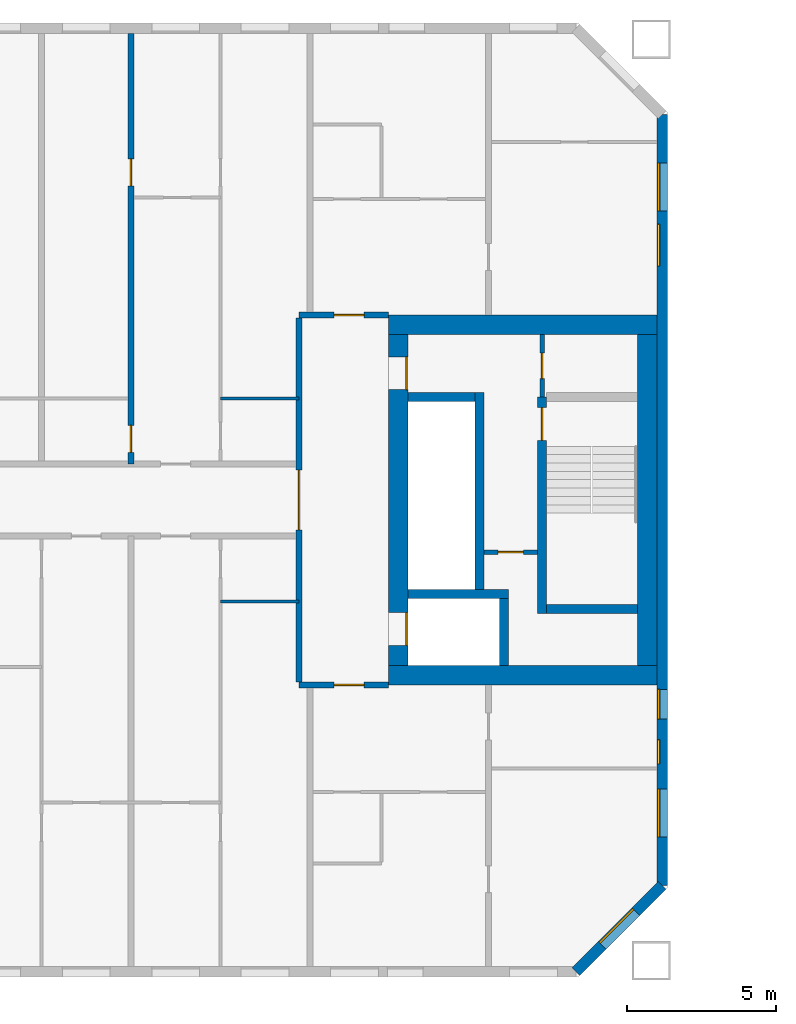
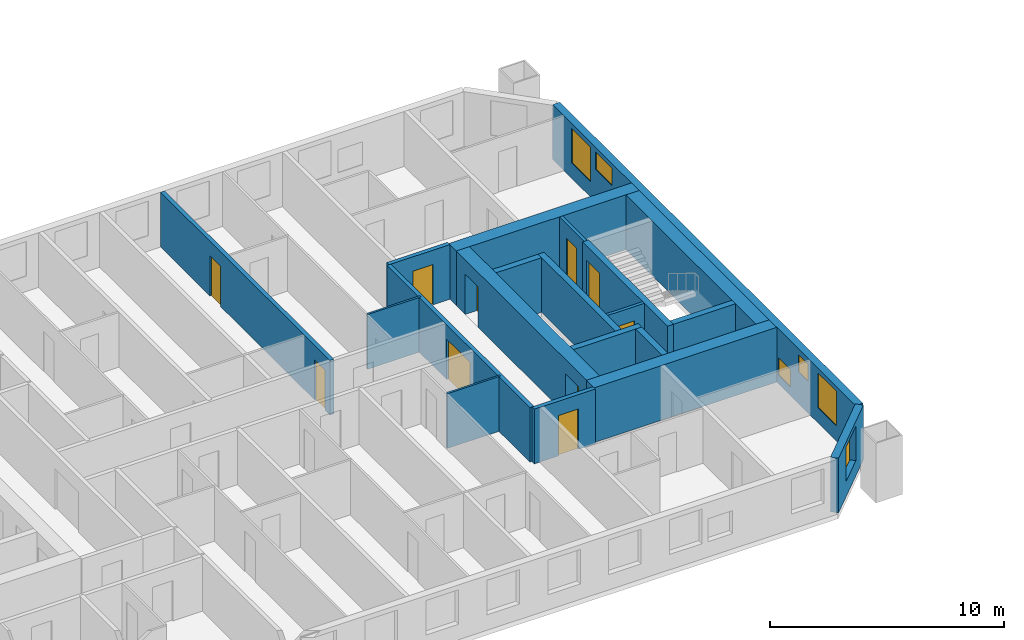
# One storey, part 7 of 17: 20 walls, 10 doors, 6 windows, 16 openings.
"""IFC4 building model written with IfcOpenShell, lengths in metres."""

import ifcopenshell
import ifcopenshell.guid

model = None  # the IFC model being written
_history = None  # IfcOwnerHistory: only IFC2X3 demands one
_inside = {}  # id of a spatial element -> (the spatial element, [elements in it])
_under = {}  # id of a project, library or spatial element -> (it, [spatial elements below it])
_declared = {}  # id of a project -> (the project, [libraries it declares])
_typed = {}  # id of a type object -> (the type object, [elements of that type])
_made_of = {}  # id of a material, layer set ... -> (it, [elements and type objects made of it])


def new_model(schema):
    """Start an empty IFC model of exactly this schema.

    Asked for "IFC4X3", IfcOpenShell would pick the latest addendum, in which some entities
    have other attributes; the version numbers below select the first issue.
    IFC2X3 requires an IfcOwnerHistory on every rooted entity: one is made here for all.
    """
    global model, _history
    if schema == "IFC4X3":
        model = ifcopenshell.file(schema_version=(4, 3, 0, 0))
    else:
        model = ifcopenshell.file(schema=schema)
    _inside.clear()
    _under.clear()
    _declared.clear()
    _typed.clear()
    _made_of.clear()
    _history = None
    if model.schema == "IFC2X3":
        org = make("IfcOrganization", Name="unknown")
        user = make(
            "IfcPersonAndOrganization",
            ThePerson=make("IfcPerson", FamilyName="unknown"),
            TheOrganization=org,
        )
        app = make(
            "IfcApplication",
            ApplicationDeveloper=org,
            Version="unknown",
            ApplicationFullName="unknown",
            ApplicationIdentifier="unknown",
        )
        _history = make(
            "IfcOwnerHistory",
            OwningUser=user,
            OwningApplication=app,
            ChangeAction="ADDED",
            CreationDate=0,
        )
    return model


def make(cls, **values):
    """One entity of the class cls with the attributes given. An attribute that is None is left unset."""
    return model.create_entity(
        cls, **{name: value for name, value in values.items() if value is not None}
    )


def rooted(cls, **values):
    """An entity with a GlobalId (a new one), such as an element, a storey or a relation."""
    return make(cls, GlobalId=ifcopenshell.guid.new(), OwnerHistory=_history, **values)


def si_unit(unit_type, name, prefix=None):
    """IfcSIUnit, for example si_unit("LENGTHUNIT", "METRE", prefix="MILLI")."""
    return make("IfcSIUnit", UnitType=unit_type, Prefix=prefix, Name=name)


def assignment(units):
    """IfcUnitAssignment: the units of a project."""
    return None if units is None else make("IfcUnitAssignment", Units=units)


def point(xyz):
    """IfcCartesianPoint."""
    return None if xyz is None else make("IfcCartesianPoint", Coordinates=xyz)


def direction(xyz):
    """IfcDirection."""
    return None if xyz is None else make("IfcDirection", DirectionRatios=xyz)


def frame(location, z_axis=None, x_axis=None):
    """IfcAxis2Placement3D, a coordinate frame: its origin and axes. An axis left out is left unset."""
    return make(
        "IfcAxis2Placement3D",
        Location=point(location),
        Axis=direction(z_axis),
        RefDirection=direction(x_axis),
    )


def frame_2d(location, x_axis=None):
    """IfcAxis2Placement2D, a coordinate frame in the plane: its origin and x axis."""
    return make(
        "IfcAxis2Placement2D", Location=point(location), RefDirection=direction(x_axis)
    )


def origin():
    """The frame at (0, 0, 0) with its axes left unset."""
    return frame((0.0, 0.0, 0.0))


def place(relative_to, where):
    """IfcLocalPlacement: puts the frame where relative to a parent placement (None: the world)."""
    return make(
        "IfcLocalPlacement", PlacementRelTo=relative_to, RelativePlacement=where
    )


def context(
    kind, dimensions, precision=None, world=None, true_north=None, identifier=None
):
    """IfcGeometricRepresentationContext, for example the 3D "Model" context."""
    return make(
        "IfcGeometricRepresentationContext",
        ContextIdentifier=identifier,
        ContextType=kind,
        CoordinateSpaceDimension=dimensions,
        Precision=precision,
        WorldCoordinateSystem=world,
        TrueNorth=true_north,
    )


def subcontext(parent, identifier, kind, view, scale=None):
    """IfcGeometricRepresentationSubContext, for example "Body" below "Model"."""
    return make(
        "IfcGeometricRepresentationSubContext",
        ContextIdentifier=identifier,
        ContextType=kind,
        ParentContext=parent,
        TargetScale=scale,
        TargetView=view,
    )


def project(units=None, contexts=None):
    """IfcProject with its units and contexts."""
    return rooted(
        "IfcProject",
        Name="project",
        RepresentationContexts=contexts,
        UnitsInContext=assignment(units),
    )


def spatial(cls, under=None, at=None, **own):
    """A site, building, storey or space (cls), placed at a placement, below another one or the project."""
    s = rooted(cls, ObjectPlacement=at, **own)
    if under is not None:
        _under.setdefault(under.id(), (under, []))[1].append(s)
    return s


def profile(cls, at=None, kind="AREA", **sizes):
    """A parametric profile (cls). Its sizes go by their IFC names, for example OverallWidth=200.0."""
    return make(cls, ProfileType=kind, Position=at, **sizes)


def rectangle(**sizes):
    """IfcRectangleProfileDef."""
    return profile("IfcRectangleProfileDef", **sizes)


def extrude(swept, where, along, depth):
    """IfcExtrudedAreaSolid: the profile swept, set in the frame where, extruded along a direction by depth."""
    return make(
        "IfcExtrudedAreaSolid",
        SweptArea=swept,
        Position=where,
        ExtrudedDirection=direction(along),
        Depth=depth,
    )


def shape(context_of_items, identifier, shape_type, items):
    """IfcShapeRepresentation: the items that make up one representation, for example the "Body"."""
    return make(
        "IfcShapeRepresentation",
        ContextOfItems=context_of_items,
        RepresentationIdentifier=identifier,
        RepresentationType=shape_type,
        Items=items,
    )


def material(Name=None, Category=None):
    """IfcMaterial."""
    return make("IfcMaterial", Name=Name, Category=Category)


def layer(
    of_material, thickness, ventilated=None, Name=None, Category=None, Priority=None
):
    """IfcMaterialLayer: one layer of a wall or slab, of a material (None: an air gap)."""
    return make(
        "IfcMaterialLayer",
        Material=of_material,
        LayerThickness=thickness,
        IsVentilated=ventilated,
        Name=Name,
        Category=Category,
        Priority=Priority,
    )


def layer_set(layers, Name=None):
    """IfcMaterialLayerSet."""
    return make("IfcMaterialLayerSet", MaterialLayers=layers, LayerSetName=Name)


def made_of(thing, what):
    """Note that an element or type object is made of a material, layer set ...; save() writes the relation."""
    if what is not None:
        _made_of.setdefault(what.id(), (what, []))[1].append(thing)
    return thing


def type_object(cls, material=None, **own):
    """A type object (cls), such as IfcWallType, which elements share."""
    return made_of(rooted(cls, **own), material)


def element(
    cls,
    number,
    at=None,
    inside=None,
    cuts=None,
    type_object=None,
    material=None,
    context=None,
    identifier="Body",
    shape_type=None,
    held_by="IfcProductDefinitionShape",
    body=None,
    shapes=None,
    **own,
):
    """One element of the class cls, such as IfcWall. Its Tag is "e" and its number.

    at: its placement. inside: the storey or other place that contains it. cuts: it is an
    opening in that element (IfcRelVoidsElement). A single representation is given by context,
    identifier, shape_type and body (its items); several are given by shapes. held_by: the class
    of the entity that holds the representations. save() writes the other relations.
    """
    e = rooted(cls, Tag="e%d" % number, ObjectPlacement=at, **own)
    if body is not None:
        shapes = [shape(context, identifier, shape_type, body)]
    if shapes is not None:
        e.Representation = make(held_by, Representations=shapes)
    if inside is not None:
        _inside.setdefault(inside.id(), (inside, []))[1].append(e)
    if cuts is not None:
        rooted(
            "IfcRelVoidsElement", RelatingBuildingElement=cuts, RelatedOpeningElement=e
        )
    if type_object is not None:
        _typed.setdefault(type_object.id(), (type_object, []))[1].append(e)
    return made_of(e, material)


def fill(opening, filler):
    """IfcRelFillsElement: the door or window that sits in an opening."""
    return rooted(
        "IfcRelFillsElement",
        RelatingOpeningElement=opening,
        RelatedBuildingElement=filler,
    )


def aggregate(whole, parts):
    """IfcRelAggregates: a whole, such as a stair, and the parts it consists of."""
    return rooted("IfcRelAggregates", RelatingObject=whole, RelatedObjects=parts)


def save(model, path):
    """Write the relations noted so far, then the file.

    IfcRelAggregates (storeys below a building ...), IfcRelContainedInSpatialStructure (elements
    in a storey), IfcRelDefinesByType, IfcRelAssociatesMaterial and IfcRelDeclares: one each for
    every whole, place, type object, material and project.
    """
    for whole, parts in _under.values():
        aggregate(whole, parts)
    for where, things in _inside.values():
        rooted(
            "IfcRelContainedInSpatialStructure",
            RelatedElements=things,
            RelatingStructure=where,
        )
    for kind, things in _typed.values():
        rooted("IfcRelDefinesByType", RelatedObjects=things, RelatingType=kind)
    for what, things in _made_of.values():
        rooted("IfcRelAssociatesMaterial", RelatedObjects=things, RelatingMaterial=what)
    for by, libraries in _declared.values():
        rooted("IfcRelDeclares", RelatingContext=by, RelatedDefinitions=libraries)
    model.write(path)


model = new_model("IFC4")

# Units and contexts
model_context = context("Model", 3, precision=1e-05, world=origin(), true_north=direction((0.0, 1.0)))
body_context = subcontext(model_context, "Body", "Model", "MODEL_VIEW")
ifc_project = project(units=[si_unit("LENGTHUNIT", "METRE"), si_unit("AREAUNIT", "SQUARE_METRE"), si_unit("VOLUMEUNIT", "CUBIC_METRE"), si_unit("PLANEANGLEUNIT", "RADIAN"), si_unit("MASSUNIT", "GRAM", prefix="KILO")], contexts=[model_context])

# Site, building, storey
site_placement = place(None, origin())
site = spatial("IfcSite", under=ifc_project, at=site_placement, CompositionType="ELEMENT")
building_placement = place(site_placement, origin())
building = spatial("IfcBuilding", under=site, at=building_placement, Name="Tuart Gate Housing", CompositionType="ELEMENT")
storey_placement = place(building_placement, frame((0.0, 0.0, 99.5)))
storey = spatial("IfcBuildingStorey", under=building, at=storey_placement, Name="L27", CompositionType="ELEMENT", Elevation=99.5)

# Wall, opening, window
ifc_material_1 = material(Name="Brick", Category="masonry")
ifc_layer_1 = layer(ifc_material_1, 0.360107421875)
ifc_layer_set_1 = layer_set([ifc_layer_1], Name="Brick pier and spandrel wall 360")
wall_type_1 = type_object("IfcWallType", Name="Brick pier and spandrel wall 360", PredefinedType="STANDARD", material=ifc_layer_set_1)
wall_1_placement = place(storey_placement, frame((72.92529296875, 54.179931640625, 0.0), z_axis=(0.0, 0.0, 1.0), x_axis=(0.707106781187, 0.707106781187, 0.0)))
wall_1 = element("IfcWall", 1, at=wall_1_placement, inside=storey, type_object=wall_type_1, Name="External wall A-SE L27", PredefinedType="STANDARD", context=body_context, shape_type="SweptSolid", body=[
    extrude(rectangle(XDim=4.09375, YDim=0.360107421875, at=frame_2d((2.046875, 0.0))), origin(), (0.0, 0.0, 1.0), 2.85009765625),
])
opening_1_placement = place(wall_1_placement, frame((1.2470703125, 0.0, 0.800048828125)))
opening_1 = element("IfcOpeningElement", 2, at=opening_1_placement, cuts=wall_1, Name="Opening W1", PredefinedType="OPENING", context=body_context, shape_type="SweptSolid", body=[
    extrude(rectangle(XDim=1.60009765625, YDim=1.800048828125, at=frame_2d((0.800048828125, 0.89990234375))), frame((0.0, 0.18994140625, 0.0), z_axis=(0.0, -1.0, 0.0), x_axis=(1.0, 0.0, 0.0)), (0.0, 0.0, 1.0), 0.380126953125),
])
ifc_material_2 = material(Name="Aluminium frame with clear glass", Category="aluminium")
window_type_1 = type_object("IfcWindowType", Name="Punched window 1600 x 1800", PartitioningType="SINGLE_PANEL", PredefinedType="WINDOW", material=ifc_material_2)
window_1_placement = place(opening_1_placement, origin())
window_1 = element("IfcWindow", 3, at=window_1_placement, inside=storey, type_object=window_type_1, Name="Window W1", OverallHeight=1.800048828125, OverallWidth=1.60009765625, PartitioningType="SINGLE_PANEL", PredefinedType="WINDOW", context=body_context, shape_type="SweptSolid", body=[
    extrude(rectangle(XDim=1.60009765625, YDim=1.800048828125, at=frame_2d((0.800048828125, 0.89990234375))), frame((0.0, 0.150146484375, 0.0), z_axis=(0.0, -1.0, 0.0), x_axis=(1.0, 0.0, 0.0)), (0.0, 0.0, 1.0), 0.06005859375),
])
fill(opening_1, window_1)

# Wall, openings, windows
wall_2_placement = place(storey_placement, frame((75.820068359375, 57.07470703125, 0.0), z_axis=(0.0, 0.0, 1.0), x_axis=(0.0, 1.0, 0.0)))
wall_2 = element("IfcWall", 4, at=wall_2_placement, inside=storey, type_object=wall_type_1, Name="External wall A-E L27", PredefinedType="STANDARD", context=body_context, shape_type="SweptSolid", body=[
    extrude(rectangle(XDim=25.850830078125, YDim=0.360107421875, at=frame_2d((12.92529296875, 0.0))), origin(), (0.0, 0.0, 1.0), 2.85009765625),
])
opening_2_placement = place(wall_2_placement, frame((1.62548828125, 0.0, 0.800048828125)))
opening_2 = element("IfcOpeningElement", 5, at=opening_2_placement, cuts=wall_2, Name="Opening W1", PredefinedType="OPENING", context=body_context, shape_type="SweptSolid", body=[
    extrude(rectangle(XDim=1.60009765625, YDim=1.800048828125, at=frame_2d((0.800048828125, 0.89990234375))), frame((0.0, 0.18994140625, 0.0), z_axis=(0.0, -1.0, 0.0), x_axis=(1.0, 0.0, 0.0)), (0.0, 0.0, 1.0), 0.380126953125),
])
opening_3_placement = place(wall_2_placement, frame((4.075439453125, 0.0, 1.64990234375)))
opening_3 = element("IfcOpeningElement", 6, at=opening_3_placement, cuts=wall_2, Name="Opening W1V", PredefinedType="OPENING", context=body_context, shape_type="SweptSolid", body=[
    extrude(rectangle(XDim=0.800048828125, YDim=0.89990234375, at=frame_2d((0.39990234375, 0.449951171875))), frame((0.0, 0.18994140625, 0.0), z_axis=(0.0, -1.0, 0.0), x_axis=(1.0, 0.0, 0.0)), (0.0, 0.0, 1.0), 0.380126953125),
])
opening_4_placement = place(wall_2_placement, frame((20.775390625, 0.0, 1.699951171875)))
opening_4 = element("IfcOpeningElement", 7, at=opening_4_placement, cuts=wall_2, Name="Opening W1S", PredefinedType="OPENING", context=body_context, shape_type="SweptSolid", body=[
    extrude(rectangle(XDim=1.39990234375, YDim=0.89990234375, at=frame_2d((0.699951171875, 0.449951171875))), frame((0.0, 0.18994140625, 0.0), z_axis=(0.0, -1.0, 0.0), x_axis=(1.0, 0.0, 0.0)), (0.0, 0.0, 1.0), 0.380126953125),
])
opening_5_placement = place(wall_2_placement, frame((22.62548828125, 0.0, 0.800048828125)))
opening_5 = element("IfcOpeningElement", 8, at=opening_5_placement, cuts=wall_2, Name="Opening W1", PredefinedType="OPENING", context=body_context, shape_type="SweptSolid", body=[
    extrude(rectangle(XDim=1.60009765625, YDim=1.800048828125, at=frame_2d((0.800048828125, 0.89990234375))), frame((0.0, 0.18994140625, 0.0), z_axis=(0.0, -1.0, 0.0), x_axis=(1.0, 0.0, 0.0)), (0.0, 0.0, 1.0), 0.380126953125),
])
opening_6_placement = place(wall_2_placement, frame((5.575439453125, 0.0, 0.449951171875)))
opening_6 = element("IfcOpeningElement", 9, at=opening_6_placement, cuts=wall_2, Name="Opening W1U", PredefinedType="OPENING", context=body_context, shape_type="SweptSolid", body=[
    extrude(rectangle(XDim=1.0, YDim=0.89990234375, at=frame_2d((0.5, 0.449951171875))), frame((0.0, 0.18994140625, 0.0), z_axis=(0.0, -1.0, 0.0), x_axis=(1.0, 0.0, 0.0)), (0.0, 0.0, 1.0), 0.380126953125),
])
ifc_material_3 = material(Name="Aluminium frame with clear glass", Category="aluminium")
window_type_2 = type_object("IfcWindowType", Name="Punched window 1000 x 900", PartitioningType="SINGLE_PANEL", PredefinedType="WINDOW", material=ifc_material_3)
window_2_placement = place(opening_6_placement, origin())
window_2 = element("IfcWindow", 10, at=window_2_placement, inside=storey, type_object=window_type_2, Name="Window W1U", OverallHeight=0.89990234375, OverallWidth=1.0, PartitioningType="SINGLE_PANEL", PredefinedType="WINDOW", context=body_context, shape_type="SweptSolid", body=[
    extrude(rectangle(XDim=1.0, YDim=0.89990234375, at=frame_2d((0.5, 0.449951171875))), frame((0.0, 0.150146484375, 0.0), z_axis=(0.0, -1.0, 0.0), x_axis=(1.0, 0.0, 0.0)), (0.0, 0.0, 1.0), 0.06005859375),
])
fill(opening_6, window_2)
ifc_material_4 = material(Name="Aluminium frame with clear glass", Category="aluminium")
window_type_3 = type_object("IfcWindowType", Name="Punched window 1400 x 900", PartitioningType="SINGLE_PANEL", PredefinedType="WINDOW", material=ifc_material_4)
window_3_placement = place(opening_4_placement, origin())
window_3 = element("IfcWindow", 11, at=window_3_placement, inside=storey, type_object=window_type_3, Name="Window W1S", OverallHeight=0.89990234375, OverallWidth=1.39990234375, PartitioningType="SINGLE_PANEL", PredefinedType="WINDOW", context=body_context, shape_type="SweptSolid", body=[
    extrude(rectangle(XDim=1.39990234375, YDim=0.89990234375, at=frame_2d((0.699951171875, 0.449951171875))), frame((0.0, 0.150146484375, 0.0), z_axis=(0.0, -1.0, 0.0), x_axis=(1.0, 0.0, 0.0)), (0.0, 0.0, 1.0), 0.06005859375),
])
fill(opening_4, window_3)
window_4_placement = place(opening_2_placement, origin())
window_4 = element("IfcWindow", 12, at=window_4_placement, inside=storey, type_object=window_type_1, Name="Window W1", OverallHeight=1.800048828125, OverallWidth=1.60009765625, PartitioningType="SINGLE_PANEL", PredefinedType="WINDOW", context=body_context, shape_type="SweptSolid", body=[
    extrude(rectangle(XDim=1.60009765625, YDim=1.800048828125, at=frame_2d((0.800048828125, 0.89990234375))), frame((0.0, 0.150146484375, 0.0), z_axis=(0.0, -1.0, 0.0), x_axis=(1.0, 0.0, 0.0)), (0.0, 0.0, 1.0), 0.06005859375),
])
fill(opening_2, window_4)
window_5_placement = place(opening_5_placement, origin())
window_5 = element("IfcWindow", 13, at=window_5_placement, inside=storey, type_object=window_type_1, Name="Window W1", OverallHeight=1.800048828125, OverallWidth=1.60009765625, PartitioningType="SINGLE_PANEL", PredefinedType="WINDOW", context=body_context, shape_type="SweptSolid", body=[
    extrude(rectangle(XDim=1.60009765625, YDim=1.800048828125, at=frame_2d((0.800048828125, 0.89990234375))), frame((0.0, 0.150146484375, 0.0), z_axis=(0.0, -1.0, 0.0), x_axis=(1.0, 0.0, 0.0)), (0.0, 0.0, 1.0), 0.06005859375),
])
fill(opening_5, window_5)
ifc_material_5 = material(Name="Aluminium frame with clear glass", Category="aluminium")
window_type_4 = type_object("IfcWindowType", Name="Punched window 800 x 900", PartitioningType="SINGLE_PANEL", PredefinedType="WINDOW", material=ifc_material_5)
window_6_placement = place(opening_3_placement, origin())
window_6 = element("IfcWindow", 14, at=window_6_placement, inside=storey, type_object=window_type_4, Name="Window W1V", OverallHeight=0.89990234375, OverallWidth=0.800048828125, PartitioningType="SINGLE_PANEL", PredefinedType="WINDOW", context=body_context, shape_type="SweptSolid", body=[
    extrude(rectangle(XDim=0.800048828125, YDim=0.89990234375, at=frame_2d((0.39990234375, 0.449951171875))), frame((0.0, 0.150146484375, 0.0), z_axis=(0.0, -1.0, 0.0), x_axis=(1.0, 0.0, 0.0)), (0.0, 0.0, 1.0), 0.06005859375),
])
fill(opening_3, window_6)

# Wall, opening, door
ifc_material_6 = material(Name="Plasterboard partition")
ifc_layer_2 = layer(ifc_material_6, 0.14990234375)
ifc_layer_set_2 = layer_set([ifc_layer_2], Name="Core partition 150")
wall_type_2 = type_object("IfcWallType", Name="Core partition 150", PredefinedType="PARTITIONING", material=ifc_layer_set_2)
wall_3_placement = place(storey_placement, frame((69.840087890625, 68.25, 0.0), z_axis=(0.0, 0.0, 1.0), x_axis=(1.0, 0.0, 0.0)))
wall_3 = element("IfcWall", 15, at=wall_3_placement, inside=storey, type_object=wall_type_2, Name="Core partition AG.3", PredefinedType="PARTITIONING", context=body_context, shape_type="SweptSolid", body=[
    extrude(rectangle(XDim=1.7998046875, YDim=0.14990234375, at=frame_2d((0.89990234375, 0.0))), origin(), (0.0, 0.0, 1.0), 2.85009765625),
])
opening_7_placement = place(wall_3_placement, frame((0.47509765625, 0.0, 0.0)))
opening_7 = element("IfcOpeningElement", 16, at=opening_7_placement, cuts=wall_3, Name="Opening D1102", PredefinedType="OPENING", context=body_context, shape_type="SweptSolid", body=[
    extrude(rectangle(XDim=0.85009765625, YDim=2.10009765625, at=frame_2d((0.425048828125, 1.050048828125))), frame((0.0, 0.0849609375, 0.0), z_axis=(0.0, -1.0, 0.0), x_axis=(1.0, 0.0, 0.0)), (0.0, 0.0, 1.0), 0.169921875),
])
ifc_material_7 = material(Name="Steel fire door", Category="steel")
door_type_1 = type_object("IfcDoorType", Name="Riser door 850 x 2100 RH", OperationType="SINGLE_SWING_RIGHT", PredefinedType="DOOR", material=ifc_material_7)
door_1_placement = place(opening_7_placement, frame((0.85009765625, 0.0, 0.0), z_axis=(0.0, 0.0, 1.0), x_axis=(-1.0, 0.0, 0.0)))
door_1 = element("IfcDoor", 17, at=door_1_placement, inside=storey, type_object=door_type_1, Name="Service room door AG.E1", OperationType="SINGLE_SWING_RIGHT", OverallHeight=2.10009765625, OverallWidth=0.85009765625, PredefinedType="DOOR", context=body_context, shape_type="SweptSolid", body=[
    extrude(rectangle(XDim=0.85009765625, YDim=2.10009765625, at=frame_2d((0.425048828125, 1.050048828125))), frame((0.0, 0.025146484375, 0.0), z_axis=(0.0, -1.0, 0.0), x_axis=(1.0, 0.0, 0.0)), (0.0, 0.0, 1.0), 0.050048828125),
])
fill(opening_7, door_1)

wall_4_placement = place(storey_placement, frame((71.7900390625, 73.449951171875, 0.0), z_axis=(0.0, 0.0, 1.0), x_axis=(0.0, 1.0, 0.0)))
wall_4 = element("IfcWall", 18, at=wall_4_placement, inside=storey, type_object=wall_type_2, Name="Core partition AG.9", PredefinedType="PARTITIONING", context=body_context, shape_type="SweptSolid", body=[
    extrude(rectangle(XDim=2.10009765625, YDim=0.14990234375, at=frame_2d((1.050048828125, 0.0))), origin(), (0.0, 0.0, 1.0), 2.85009765625),
])
opening_8_placement = place(wall_4_placement, frame((0.625, 0.0, 0.0)))
opening_8 = element("IfcOpeningElement", 19, at=opening_8_placement, cuts=wall_4, Name="Opening D1088", PredefinedType="OPENING", context=body_context, shape_type="SweptSolid", body=[
    extrude(rectangle(XDim=0.85009765625, YDim=2.10009765625, at=frame_2d((0.425048828125, 1.050048828125))), frame((0.0, 0.0849609375, 0.0), z_axis=(0.0, -1.0, 0.0), x_axis=(1.0, 0.0, 0.0)), (0.0, 0.0, 1.0), 0.169921875),
])
ifc_material_8 = material(Name="Steel fire door", Category="steel")
door_type_2 = type_object("IfcDoorType", Name="Service door 850 x 2100 RH", OperationType="SINGLE_SWING_RIGHT", PredefinedType="DOOR", material=ifc_material_8)
door_2_placement = place(opening_8_placement, frame((0.85009765625, 0.0, 0.0), z_axis=(0.0, 0.0, 1.0), x_axis=(-1.0, 0.0, 0.0)))
door_2 = element("IfcDoor", 20, at=door_2_placement, inside=storey, type_object=door_type_2, Name="Service room door AG.ST", OperationType="SINGLE_SWING_RIGHT", OverallHeight=2.10009765625, OverallWidth=0.85009765625, PredefinedType="DOOR", context=body_context, shape_type="SweptSolid", body=[
    extrude(rectangle(XDim=0.85009765625, YDim=2.10009765625, at=frame_2d((0.425048828125, 1.050048828125))), frame((0.0, 0.025146484375, 0.0), z_axis=(0.0, -1.0, 0.0), x_axis=(1.0, 0.0, 0.0)), (0.0, 0.0, 1.0), 0.050048828125),
])
fill(opening_8, door_2)

# Walls
ifc_material_9 = material(Name="Concrete C50", Category="concrete")
ifc_layer_3 = layer(ifc_material_9, 0.300048828125)
ifc_layer_set_3 = layer_set([ifc_layer_3], Name="Core wall 300 C50")
wall_type_3 = type_object("IfcWallType", Name="Core wall 300 C50", PredefinedType="SHEAR", material=ifc_layer_set_3)
wall_5_placement = place(storey_placement, frame((71.93994140625, 66.35009765625, 0.0), z_axis=(0.0, 0.0, 1.0), x_axis=(1.0, 0.0, 0.0)))
element("IfcWall", 21, at=wall_5_placement, inside=storey, type_object=wall_type_3, Name="Core wall AG.1", PredefinedType="SHEAR", context=body_context, shape_type="SweptSolid", body=[
    extrude(rectangle(XDim=3.050048828125, YDim=0.300048828125, at=frame_2d((1.52490234375, 0.0))), origin(), (0.0, 0.0, 1.0), 2.85009765625),
])
wall_6_placement = place(storey_placement, frame((67.2900390625, 66.85009765625, 0.0), z_axis=(0.0, 0.0, 1.0), x_axis=(1.0, 0.0, 0.0)))
element("IfcWall", 22, at=wall_6_placement, inside=storey, type_object=wall_type_3, Name="Core wall AG.2", PredefinedType="SHEAR", context=body_context, shape_type="SweptSolid", body=[
    extrude(rectangle(XDim=3.369873046875, YDim=0.300048828125, at=frame_2d((1.68505859375, 0.0))), origin(), (0.0, 0.0, 1.0), 2.85009765625),
])
wall_7_placement = place(storey_placement, frame((67.2900390625, 73.449951171875, 0.0), z_axis=(0.0, 0.0, 1.0), x_axis=(1.0, 0.0, 0.0)))
element("IfcWall", 23, at=wall_7_placement, inside=storey, type_object=wall_type_3, Name="Core wall AG.4", PredefinedType="SHEAR", context=body_context, shape_type="SweptSolid", body=[
    extrude(rectangle(XDim=2.25, YDim=0.300048828125, at=frame_2d((1.125, 0.0))), origin(), (0.0, 0.0, 1.0), 2.85009765625),
])
wall_8_placement = place(storey_placement, frame((69.68994140625, 67.0, 0.0), z_axis=(0.0, 0.0, 1.0), x_axis=(0.0, 1.0, 0.0)))
element("IfcWall", 24, at=wall_8_placement, inside=storey, type_object=wall_type_3, Name="Core wall AG.6", PredefinedType="SHEAR", context=body_context, shape_type="SweptSolid", body=[
    extrude(rectangle(XDim=6.60009765625, YDim=0.300048828125, at=frame_2d((3.300048828125, 0.0))), origin(), (0.0, 0.0, 1.0), 2.85009765625),
])
wall_9_placement = place(storey_placement, frame((70.510009765625, 64.449951171875, 0.0), z_axis=(0.0, 0.0, 1.0), x_axis=(0.0, 1.0, 0.0)))
element("IfcWall", 25, at=wall_9_placement, inside=storey, type_object=wall_type_3, Name="Core wall AG.7", PredefinedType="SHEAR", context=body_context, shape_type="SweptSolid", body=[
    extrude(rectangle(XDim=2.25, YDim=0.300048828125, at=frame_2d((1.125, 0.0))), origin(), (0.0, 0.0, 1.0), 2.85009765625),
])

# Wall, opening, door
wall_10_placement = place(storey_placement, frame((71.7900390625, 66.199951171875, 0.0), z_axis=(0.0, 0.0, 1.0), x_axis=(0.0, 1.0, 0.0)))
wall_10 = element("IfcWall", 26, at=wall_10_placement, inside=storey, type_object=wall_type_3, Name="Core wall AG.8", PredefinedType="SHEAR", context=body_context, shape_type="SweptSolid", body=[
    extrude(rectangle(XDim=7.25, YDim=0.300048828125, at=frame_2d((3.625, 0.0))), origin(), (0.0, 0.0, 1.0), 2.85009765625),
])
opening_9_placement = place(wall_10_placement, frame((5.800048828125, 0.0, 0.0)))
opening_9 = element("IfcOpeningElement", 27, at=opening_9_placement, cuts=wall_10, Name="Opening D1098", PredefinedType="OPENING", context=body_context, shape_type="SweptSolid", body=[
    extrude(rectangle(XDim=1.10009765625, YDim=2.10009765625, at=frame_2d((0.550048828125, 1.050048828125))), frame((0.0, 0.159912109375, 0.0), z_axis=(0.0, -1.0, 0.0), x_axis=(1.0, 0.0, 0.0)), (0.0, 0.0, 1.0), 0.320068359375),
])
ifc_material_10 = material(Name="Steel fire door", Category="steel")
door_type_3 = type_object("IfcDoorType", Name="Stair door 1100 x 2100", OperationType="SINGLE_SWING_LEFT", PredefinedType="DOOR", material=ifc_material_10)
door_3_placement = place(opening_9_placement, frame((1.10009765625, 0.0, 0.0), z_axis=(0.0, 0.0, 1.0), x_axis=(-1.0, 0.0, 0.0)))
door_3 = element("IfcDoor", 28, at=door_3_placement, inside=storey, type_object=door_type_3, Name="Stair door AG.SD", OperationType="SINGLE_SWING_LEFT", OverallHeight=2.10009765625, OverallWidth=1.10009765625, PredefinedType="DOOR", context=body_context, shape_type="SweptSolid", body=[
    extrude(rectangle(XDim=1.10009765625, YDim=2.10009765625, at=frame_2d((0.550048828125, 1.050048828125))), frame((0.0, 0.025146484375, 0.0), z_axis=(0.0, -1.0, 0.0), x_axis=(1.0, 0.0, 0.0)), (0.0, 0.0, 1.0), 0.050048828125),
])
fill(opening_9, door_3)

# Wall, openings, doors
ifc_material_11 = material(Name="Concrete C50", Category="concrete")
ifc_layer_4 = layer(ifc_material_11, 0.64990234375)
ifc_layer_set_4 = layer_set([ifc_layer_4], Name="Core wall 650 C50")
wall_type_4 = type_object("IfcWallType", Name="Core wall 650 C50", PredefinedType="SHEAR", material=ifc_layer_set_4)
wall_11_placement = place(storey_placement, frame((66.965087890625, 64.449951171875, 0.0), z_axis=(0.0, 0.0, 1.0), x_axis=(0.0, 1.0, 0.0)))
wall_11 = element("IfcWall", 29, at=wall_11_placement, inside=storey, type_object=wall_type_4, Name="Core wall AG front", PredefinedType="SHEAR", context=body_context, shape_type="SweptSolid", body=[
    extrude(rectangle(XDim=11.10009765625, YDim=0.64990234375, at=frame_2d((5.550048828125, 0.0))), origin(), (0.0, 0.0, 1.0), 2.85009765625),
])
opening_10_placement = place(wall_11_placement, frame((0.675048828125, 0.0, 0.0)))
opening_10 = element("IfcOpeningElement", 30, at=opening_10_placement, cuts=wall_11, Name="Opening LD-FA1", PredefinedType="OPENING", context=body_context, shape_type="SweptSolid", body=[
    extrude(rectangle(XDim=1.10009765625, YDim=2.10009765625, at=frame_2d((0.550048828125, 1.050048828125))), frame((0.0, 0.3349609375, 0.0), z_axis=(0.0, -1.0, 0.0), x_axis=(1.0, 0.0, 0.0)), (0.0, 0.0, 1.0), 0.669921875),
])
opening_11_placement = place(wall_11_placement, frame((9.25, 0.0, 0.0)))
opening_11 = element("IfcOpeningElement", 31, at=opening_11_placement, cuts=wall_11, Name="Opening D1097", PredefinedType="OPENING", context=body_context, shape_type="SweptSolid", body=[
    extrude(rectangle(XDim=1.10009765625, YDim=2.10009765625, at=frame_2d((0.550048828125, 1.050048828125))), frame((0.0, 0.3349609375, 0.0), z_axis=(0.0, -1.0, 0.0), x_axis=(1.0, 0.0, 0.0)), (0.0, 0.0, 1.0), 0.669921875),
])
ifc_material_12 = material(Name="Stainless steel", Category="steel")
door_type_4 = type_object("IfcDoorType", Name="Landing door 1100 x 2100", OperationType="DOUBLE_DOOR_SLIDING", PredefinedType="DOOR", material=ifc_material_12)
door_4_placement = place(opening_10_placement, origin())
door_4 = element("IfcDoor", 32, at=door_4_placement, inside=storey, type_object=door_type_4, Name="Lift landing door FA1", OperationType="DOUBLE_DOOR_SLIDING", OverallHeight=2.10009765625, OverallWidth=1.10009765625, PredefinedType="DOOR", context=body_context, shape_type="SweptSolid", body=[
    extrude(rectangle(XDim=1.10009765625, YDim=2.10009765625, at=frame_2d((0.550048828125, 1.050048828125))), frame((0.0, -0.259765625, 0.0), z_axis=(0.0, -1.0, 0.0), x_axis=(1.0, 0.0, 0.0)), (0.0, 0.0, 1.0), 0.050048828125),
])
fill(opening_10, door_4)
ifc_material_13 = material(Name="Steel fire door", Category="steel")
door_type_5 = type_object("IfcDoorType", Name="Lobby door 1100 x 2100 RH", OperationType="SINGLE_SWING_RIGHT", PredefinedType="DOOR", material=ifc_material_13)
door_5_placement = place(opening_11_placement, frame((1.10009765625, 0.0, 0.0), z_axis=(0.0, 0.0, 1.0), x_axis=(-1.0, 0.0, 0.0)))
door_5 = element("IfcDoor", 33, at=door_5_placement, inside=storey, type_object=door_type_5, Name="Lobby entry door AG.EN", OperationType="SINGLE_SWING_RIGHT", OverallHeight=2.10009765625, OverallWidth=1.10009765625, PredefinedType="DOOR", context=body_context, shape_type="SweptSolid", body=[
    extrude(rectangle(XDim=1.10009765625, YDim=2.10009765625, at=frame_2d((0.550048828125, 1.050048828125))), frame((0.0, 0.309814453125, 0.0), z_axis=(0.0, -1.0, 0.0), x_axis=(1.0, 0.0, 0.0)), (0.0, 0.0, 1.0), 0.050048828125),
])
fill(opening_11, door_5)

# Walls
wall_12_placement = place(storey_placement, frame((75.31494140625, 64.449951171875, 0.0), z_axis=(0.0, 0.0, 1.0), x_axis=(0.0, 1.0, 0.0)))
element("IfcWall", 34, at=wall_12_placement, inside=storey, type_object=wall_type_4, Name="Core wall AG back", PredefinedType="SHEAR", context=body_context, shape_type="SweptSolid", body=[
    extrude(rectangle(XDim=11.10009765625, YDim=0.64990234375, at=frame_2d((5.550048828125, 0.0))), origin(), (0.0, 0.0, 1.0), 2.85009765625),
])
for number, where, z_axis, x_axis, name in (
    (35, (66.639892578125, 64.125, 0.0), (0.0, 0.0, 1.0), (1.0, 0.0, 0.0), "Core wall AG south"),
    (36, (66.639892578125, 75.875, 0.0), (0.0, 0.0, 1.0), (1.0, 0.0, 0.0), "Core wall AG north"),
):
    element("IfcWall", number, at=place(storey_placement, frame(where, z_axis=z_axis, x_axis=x_axis)), inside=storey, type_object=wall_type_4, Name=name, PredefinedType="SHEAR", context=body_context, shape_type="SweptSolid", body=[
        extrude(rectangle(XDim=9.0, YDim=0.64990234375, at=frame_2d((4.5, 0.0))), origin(), (0.0, 0.0, 1.0), 2.85009765625),
    ])

# Wall, opening, door
ifc_material_14 = material(Name="Concrete masonry 15 MPa", Category="masonry")
ifc_layer_5 = layer(ifc_material_14, 0.199951171875)
ifc_layer_set_5 = layer_set([ifc_layer_5], Name="Enclosure wall masonry 200")
wall_type_5 = type_object("IfcWallType", Name="Enclosure wall masonry 200", PredefinedType="PARTITIONING", material=ifc_layer_set_5)
wall_13_placement = place(storey_placement, frame((63.639892578125, 63.800048828125, 0.0), z_axis=(0.0, 0.0, 1.0), x_axis=(1.0, 0.0, 0.0)))
wall_13 = element("IfcWall", 37, at=wall_13_placement, inside=storey, type_object=wall_type_5, Name="Enclosure wall masonry 200", PredefinedType="PARTITIONING", context=body_context, shape_type="SweptSolid", body=[
    extrude(rectangle(XDim=3.0, YDim=0.199951171875, at=frame_2d((1.5, 0.0))), origin(), (0.0, 0.0, 1.0), 2.85009765625),
])
opening_12_placement = place(wall_13_placement, frame((1.179931640625, 0.0, 0.0)))
opening_12 = element("IfcOpeningElement", 38, at=opening_12_placement, cuts=wall_13, Name="Opening D1105", PredefinedType="OPENING", context=body_context, shape_type="SweptSolid", body=[
    extrude(rectangle(XDim=1.0, YDim=2.10009765625, at=frame_2d((0.5, 1.050048828125))), frame((0.0, 0.10986328125, 0.0), z_axis=(0.0, -1.0, 0.0), x_axis=(1.0, 0.0, 0.0)), (0.0, 0.0, 1.0), 0.219970703125),
])
ifc_material_15 = material(Name="Timber door leaf in steel frame", Category="steel")
door_type_6 = type_object("IfcDoorType", Name="Flat entrance door 1000 RH", OperationType="SINGLE_SWING_RIGHT", PredefinedType="DOOR", material=ifc_material_15)
door_6_placement = place(opening_12_placement, frame((1.0, 0.0, 0.0), z_axis=(0.0, 0.0, 1.0), x_axis=(-1.0, 0.0, 0.0)))
door_6 = element("IfcDoor", 39, at=door_6_placement, inside=storey, type_object=door_type_6, Name="Flat entrance door", OperationType="SINGLE_SWING_RIGHT", OverallHeight=2.10009765625, OverallWidth=1.0, PredefinedType="DOOR", context=body_context, shape_type="SweptSolid", body=[
    extrude(rectangle(XDim=1.0, YDim=2.10009765625, at=frame_2d((0.5, 1.050048828125))), frame((0.0, 0.025146484375, 0.0), z_axis=(0.0, -1.0, 0.0), x_axis=(1.0, 0.0, 0.0)), (0.0, 0.0, 1.0), 0.050048828125),
])
fill(opening_12, door_6)

wall_14_placement = place(storey_placement, frame((63.639892578125, 76.199951171875, 0.0), z_axis=(0.0, 0.0, 1.0), x_axis=(1.0, 0.0, 0.0)))
wall_14 = element("IfcWall", 40, at=wall_14_placement, inside=storey, type_object=wall_type_5, Name="Enclosure wall masonry 200", PredefinedType="PARTITIONING", context=body_context, shape_type="SweptSolid", body=[
    extrude(rectangle(XDim=3.0, YDim=0.199951171875, at=frame_2d((1.5, 0.0))), origin(), (0.0, 0.0, 1.0), 2.85009765625),
])
opening_13_placement = place(wall_14_placement, frame((1.179931640625, 0.0, 0.0)))
opening_13 = element("IfcOpeningElement", 41, at=opening_13_placement, cuts=wall_14, Name="Opening D1087", PredefinedType="OPENING", context=body_context, shape_type="SweptSolid", body=[
    extrude(rectangle(XDim=1.0, YDim=2.10009765625, at=frame_2d((0.5, 1.050048828125))), frame((0.0, 0.10986328125, 0.0), z_axis=(0.0, -1.0, 0.0), x_axis=(1.0, 0.0, 0.0)), (0.0, 0.0, 1.0), 0.219970703125),
])
ifc_material_16 = material(Name="Timber door leaf in steel frame", Category="steel")
door_type_7 = type_object("IfcDoorType", Name="Flat entrance door 1000", OperationType="SINGLE_SWING_LEFT", PredefinedType="DOOR", material=ifc_material_16)
door_7_placement = place(opening_13_placement, origin())
door_7 = element("IfcDoor", 42, at=door_7_placement, inside=storey, type_object=door_type_7, Name="Flat entrance door", OperationType="SINGLE_SWING_LEFT", OverallHeight=2.10009765625, OverallWidth=1.0, PredefinedType="DOOR", context=body_context, shape_type="SweptSolid", body=[
    extrude(rectangle(XDim=1.0, YDim=2.10009765625, at=frame_2d((0.5, 1.050048828125))), frame((0.0, 0.02490234375, 0.0), z_axis=(0.0, -1.0, 0.0), x_axis=(1.0, 0.0, 0.0)), (0.0, 0.0, 1.0), 0.050048828125),
])
fill(opening_13, door_7)

ifc_material_17 = material(Name="Plasterboard partition")
ifc_layer_6 = layer(ifc_material_17, 0.199951171875)
ifc_layer_set_6 = layer_set([ifc_layer_6], Name="Lobby wall 200")
wall_type_6 = type_object("IfcWallType", Name="Lobby wall 200", PredefinedType="PARTITIONING", material=ifc_layer_set_6)
wall_15_placement = place(storey_placement, frame((63.639892578125, 63.89990234375, 0.0), z_axis=(0.0, 0.0, 1.0), x_axis=(0.0, 1.0, 0.0)))
wall_15 = element("IfcWall", 43, at=wall_15_placement, inside=storey, type_object=wall_type_6, Name="Lift lobby wall AG", PredefinedType="PARTITIONING", context=body_context, shape_type="SweptSolid", body=[
    extrude(rectangle(XDim=12.2001953125, YDim=0.199951171875, at=frame_2d((6.10009765625, 0.0))), origin(), (0.0, 0.0, 1.0), 2.85009765625),
])
opening_14_placement = place(wall_15_placement, frame((5.10009765625, 0.0, 0.0)))
opening_14 = element("IfcOpeningElement", 44, at=opening_14_placement, cuts=wall_15, Name="Opening D1096", PredefinedType="OPENING", context=body_context, shape_type="SweptSolid", body=[
    extrude(rectangle(XDim=2.0, YDim=2.10009765625, at=frame_2d((1.0, 1.050048828125))), frame((0.0, 0.10986328125, 0.0), z_axis=(0.0, -1.0, 0.0), x_axis=(1.0, 0.0, 0.0)), (0.0, 0.0, 1.0), 0.219970703125),
])
ifc_material_18 = material(Name="Steel fire door", Category="steel")
door_type_8 = type_object("IfcDoorType", Name="Smoke door 2000 x 2100", OperationType="DOUBLE_DOOR_SINGLE_SWING", PredefinedType="DOOR", material=ifc_material_18)
door_8_placement = place(opening_14_placement, frame((2.0, 0.0, 0.0), z_axis=(0.0, 0.0, 1.0), x_axis=(-1.0, 0.0, 0.0)))
door_8 = element("IfcDoor", 45, at=door_8_placement, inside=storey, type_object=door_type_8, Name="Lift lobby smoke door AG", OperationType="DOUBLE_DOOR_SINGLE_SWING", OverallHeight=2.10009765625, OverallWidth=2.0, PredefinedType="DOOR", context=body_context, shape_type="SweptSolid", body=[
    extrude(rectangle(XDim=2.0, YDim=2.10009765625, at=frame_2d((1.0, 1.050048828125))), frame((0.0, 0.025146484375, 0.0), z_axis=(0.0, -1.0, 0.0), x_axis=(1.0, 0.0, 0.0)), (0.0, 0.0, 1.0), 0.050048828125),
])
fill(opening_14, door_8)

# Walls
ifc_material_19 = material(Name="Gypsum board on steel studs", Category="steel")
ifc_layer_7 = layer(ifc_material_19, 0.10009765625)
ifc_layer_set_7 = layer_set([ifc_layer_7], Name="Partition 100")
wall_type_7 = type_object("IfcWallType", Name="Partition 100", PredefinedType="PARTITIONING", material=ifc_layer_set_7)
for number, where, z_axis, x_axis, name in (
    (46, (61.0, 66.60009765625, 0.0), (0.0, 0.0, 1.0), (1.0, 0.0, 0.0), "Partition 100"),
    (47, (61.0, 73.39990234375, 0.0), (0.0, 0.0, 1.0), (1.0, 0.0, 0.0), "Partition 100"),
):
    element("IfcWall", number, at=place(storey_placement, frame(where, z_axis=z_axis, x_axis=x_axis)), inside=storey, type_object=wall_type_7, Name=name, PredefinedType="PARTITIONING", context=body_context, shape_type="SweptSolid", body=[
        extrude(rectangle(XDim=2.639892578125, YDim=0.10009765625, at=frame_2d((1.31982421875, 0.0))), origin(), (0.0, 0.0, 1.0), 2.85009765625),
    ])

# Wall, openings, doors
ifc_material_20 = material(Name="Concrete C40", Category="concrete")
ifc_layer_8 = layer(ifc_material_20, 0.199951171875)
ifc_layer_set_8 = layer_set([ifc_layer_8], Name="Party wall concrete C40 200")
wall_type_8 = type_object("IfcWallType", Name="Party wall concrete C40 200", PredefinedType="SOLIDWALL", material=ifc_layer_set_8)
wall_16_placement = place(storey_placement, frame((58.0, 71.199951171875, 0.0), z_axis=(0.0, 0.0, 1.0), x_axis=(0.0, 1.0, 0.0)))
wall_16 = element("IfcWall", 48, at=wall_16_placement, inside=storey, type_object=wall_type_8, Name="Party wall concrete C40 200", PredefinedType="SOLIDWALL", context=body_context, shape_type="SweptSolid", body=[
    extrude(rectangle(XDim=14.43994140625, YDim=0.199951171875, at=frame_2d((7.219970703125, 0.0))), origin(), (0.0, 0.0, 1.0), 2.85009765625),
])
opening_15_placement = place(wall_16_placement, frame((9.340087890625, 0.0, 0.0)))
opening_15 = element("IfcOpeningElement", 49, at=opening_15_placement, cuts=wall_16, Name="Opening D1085", PredefinedType="OPENING", context=body_context, shape_type="SweptSolid", body=[
    extrude(rectangle(XDim=0.89990234375, YDim=2.10009765625, at=frame_2d((0.449951171875, 1.050048828125))), frame((0.0, 0.10986328125, 0.0), z_axis=(0.0, -1.0, 0.0), x_axis=(1.0, 0.0, 0.0)), (0.0, 0.0, 1.0), 0.219970703125),
])
opening_16_placement = place(wall_16_placement, frame((0.39990234375, 0.0, 0.0)))
opening_16 = element("IfcOpeningElement", 50, at=opening_16_placement, cuts=wall_16, Name="Opening D1084", PredefinedType="OPENING", context=body_context, shape_type="SweptSolid", body=[
    extrude(rectangle(XDim=0.89990234375, YDim=2.10009765625, at=frame_2d((0.449951171875, 1.050048828125))), frame((0.0, 0.10986328125, 0.0), z_axis=(0.0, -1.0, 0.0), x_axis=(1.0, 0.0, 0.0)), (0.0, 0.0, 1.0), 0.219970703125),
])
ifc_material_21 = material(Name="Timber door leaf in steel frame", Category="steel")
door_type_9 = type_object("IfcDoorType", Name="Bathroom door 900", OperationType="SINGLE_SWING_LEFT", PredefinedType="DOOR", material=ifc_material_21)
door_9_placement = place(opening_16_placement, origin())
door_9 = element("IfcDoor", 51, at=door_9_placement, inside=storey, type_object=door_type_9, Name="Bathroom door", OperationType="SINGLE_SWING_LEFT", OverallHeight=2.10009765625, OverallWidth=0.89990234375, PredefinedType="DOOR", context=body_context, shape_type="SweptSolid", body=[
    extrude(rectangle(XDim=0.89990234375, YDim=2.10009765625, at=frame_2d((0.449951171875, 1.050048828125))), frame((0.0, 0.02490234375, 0.0), z_axis=(0.0, -1.0, 0.0), x_axis=(1.0, 0.0, 0.0)), (0.0, 0.0, 1.0), 0.050048828125),
])
fill(opening_16, door_9)
ifc_material_22 = material(Name="Timber door leaf in steel frame", Category="steel")
door_type_10 = type_object("IfcDoorType", Name="Internal door 900 RH", OperationType="SINGLE_SWING_RIGHT", PredefinedType="DOOR", material=ifc_material_22)
door_10_placement = place(opening_15_placement, origin())
door_10 = element("IfcDoor", 52, at=door_10_placement, inside=storey, type_object=door_type_10, Name="Internal door", OperationType="SINGLE_SWING_RIGHT", OverallHeight=2.10009765625, OverallWidth=0.89990234375, PredefinedType="DOOR", context=body_context, shape_type="SweptSolid", body=[
    extrude(rectangle(XDim=0.89990234375, YDim=2.10009765625, at=frame_2d((0.449951171875, 1.050048828125))), frame((0.0, 0.02490234375, 0.0), z_axis=(0.0, -1.0, 0.0), x_axis=(1.0, 0.0, 0.0)), (0.0, 0.0, 1.0), 0.050048828125),
])
fill(opening_15, door_10)

save(model, "model.ifc")
